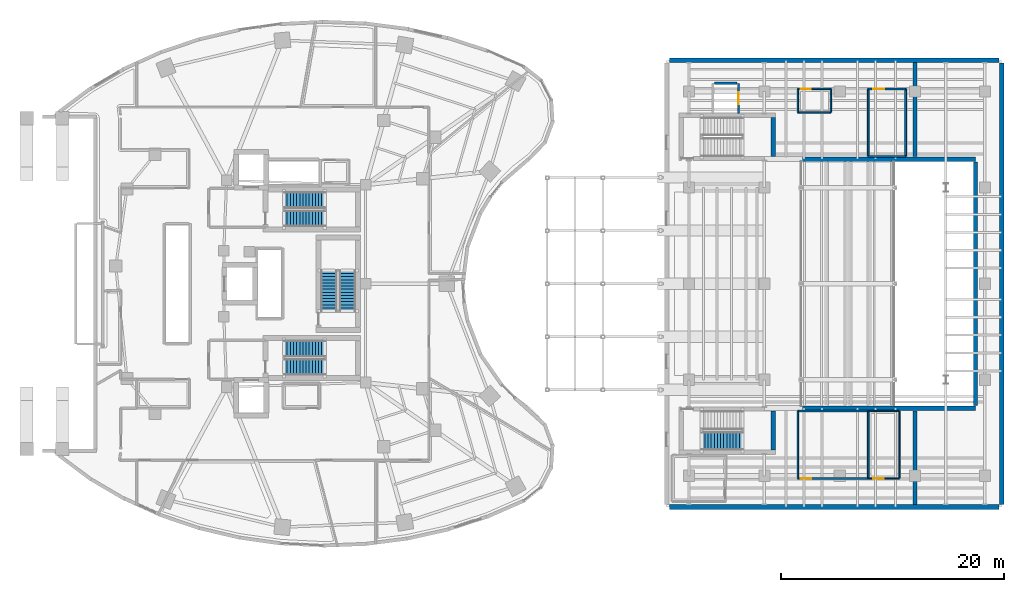
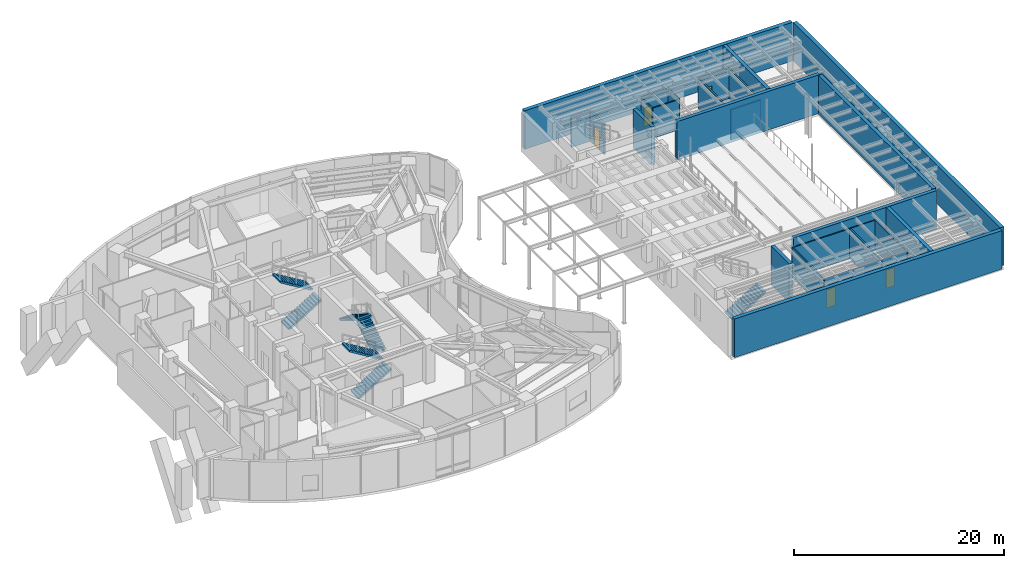
# One storey, part 19 of 24: 27 walls, 7 stair flights, 5 doors, 5 openings, 4 elements without a shape of their own.
"""IFC4 building model written with IfcOpenShell, lengths in metres."""

from ifc_helpers import new_model, si_unit, direction, frame, frame_2d, origin, place, context, subcontext, project, spatial, polyline, rectangle, outline, extrude, material, layer, layer_set, type_object, element, fill, aggregate, save


model = new_model("IFC4")

# Units and contexts
model_context = context("Model", 3, precision=1e-05, world=origin(), true_north=direction((0.0, 1.0)))
body_context = subcontext(model_context, "Body", "Model", "MODEL_VIEW")
ifc_project = project(units=[si_unit("LENGTHUNIT", "METRE"), si_unit("AREAUNIT", "SQUARE_METRE"), si_unit("VOLUMEUNIT", "CUBIC_METRE"), si_unit("PLANEANGLEUNIT", "RADIAN"), si_unit("MASSUNIT", "GRAM", prefix="KILO")], contexts=[model_context])

# Site, building, storey
site_placement = place(None, origin())
site = spatial("IfcSite", under=ifc_project, at=site_placement, CompositionType="ELEMENT")
building_placement = place(site_placement, origin())
building = spatial("IfcBuilding", under=site, at=building_placement, Name="Korentha Bioscience Tower", CompositionType="ELEMENT")
storey_placement = place(building_placement, frame((0.0, 0.0, 5.39990234375)))
storey = spatial("IfcBuildingStorey", under=building, at=storey_placement, Name="L01", CompositionType="ELEMENT", Elevation=5.39990234375)

# Wall, opening, door
ifc_material_1 = material(Name="Double-Stud Acoustic Gypsum", Category="gypsum")
ifc_layer_1 = layer(ifc_material_1, 0.14990234375, Name="Double-Stud Acoustic Gypsum")
ifc_layer_set_1 = layer_set([ifc_layer_1], Name="Double-Stud Acoustic Gypsum (IW-L150)")
wall_type_1 = type_object("IfcWallType", Name="Acoustic Laboratory Partition Wall 150", PredefinedType="PARTITIONING", material=ifc_layer_set_1)
wall_1_placement = place(storey_placement, frame((82.550048828125, 9.56005859375, 0.0), z_axis=(0.0, 0.0, 1.0), x_axis=(-1.0, 0.0, 0.0)))
wall_1 = element("IfcWall", 1, at=wall_1_placement, inside=storey, type_object=wall_type_1, Name="L01 L01 Soloists' Dressing Suite Entrance Wall", PredefinedType="PARTITIONING", context=body_context, shape_type="SweptSolid", body=[
    extrude(rectangle(XDim=6.300048828125, YDim=0.14990234375, at=frame_2d((3.14990234375, 0.0))), origin(), (0.0, 0.0, 1.0), 3.510009765625),
])
opening_1_placement = place(wall_1_placement, frame((5.110107421875, 0.0, 0.0)))
opening_1 = element("IfcOpeningElement", 2, at=opening_1_placement, cuts=wall_1, Name="Opening ID-10L", PredefinedType="OPENING", context=body_context, shape_type="SweptSolid", body=[
    extrude(rectangle(XDim=0.949951171875, YDim=2.14990234375, at=frame_2d((0.47509765625, 1.074951171875))), frame((0.0, 0.08984375, 0.0), z_axis=(0.0, -1.0, 0.0), x_axis=(1.0, 0.0, 0.0)), (0.0, 0.0, 1.0), 0.1796875),
])
ifc_material_2 = material(Name="Phenolic Laminate Timber Core", Category="wood")
door_type_1 = type_object("IfcDoorType", Name="Laboratory Single Leaf Door 950x2150 Left", OperationType="SINGLE_SWING_LEFT", PredefinedType="DOOR", material=ifc_material_2)
door_1_placement = place(opening_1_placement, origin())
door_1 = element("IfcDoor", 3, at=door_1_placement, inside=storey, type_object=door_type_1, Name="L01 L01 Soloists' Dressing Suite Door", OperationType="SINGLE_SWING_LEFT", OverallHeight=2.14990234375, OverallWidth=0.949951171875, PredefinedType="DOOR", context=body_context, shape_type="SweptSolid", body=[
    extrude(rectangle(XDim=0.949951171875, YDim=2.14990234375, at=frame_2d((0.47509765625, 1.074951171875))), frame((0.0, 0.02490234375, 0.0), z_axis=(0.0, -1.0, 0.0), x_axis=(1.0, 0.0, 0.0)), (0.0, 0.0, 1.0), 0.050048828125),
])
fill(opening_1, door_1)

# Walls
for number, where, z_axis, x_axis, name in (
    (4, (82.550048828125, 15.60009765625, 0.0), (0.0, 0.0, 1.0), (0.0, -1.0, 0.0), "L01 Interior Partition 067"),
    (5, (76.25, 9.56005859375, 0.0), (0.0, 0.0, 1.0), (0.0, 1.0, 0.0), "L01 Interior Partition 068"),
):
    element("IfcWall", number, at=place(storey_placement, frame(where, z_axis=z_axis, x_axis=x_axis)), inside=storey, type_object=wall_type_1, Name=name, PredefinedType="PARTITIONING", context=body_context, shape_type="SweptSolid", body=[
        extrude(rectangle(XDim=6.0400390625, YDim=0.14990234375, at=frame_2d((3.02001953125, 0.0))), origin(), (0.0, 0.0, 1.0), 3.510009765625),
    ])
wall_2_placement = place(storey_placement, frame((76.25, 15.60009765625, 0.0), z_axis=(0.0, 0.0, 1.0), x_axis=(1.0, 0.0, 0.0)))
element("IfcWall", 6, at=wall_2_placement, inside=storey, type_object=wall_type_1, Name="L01 Interior Partition 069", PredefinedType="PARTITIONING", context=body_context, shape_type="SweptSolid", body=[
    extrude(rectangle(XDim=6.300048828125, YDim=0.14990234375, at=frame_2d((3.14990234375, 0.0))), origin(), (0.0, 0.0, 1.0), 3.510009765625),
])

# Wall, opening, door
ifc_material_3 = material(Name="Fire-Rated Framed Glass", Category="glass")
ifc_layer_2 = layer(ifc_material_3, 0.110107421875, Name="Fire-Rated Framed Glass")
ifc_layer_set_2 = layer_set([ifc_layer_2], Name="Fire-Rated Framed Glass (IW-G110)")
wall_type_2 = type_object("IfcWallType", Name="Demountable Glazed Office Partition 110", PredefinedType="MOVABLE", material=ifc_layer_set_2)
wall_3_placement = place(storey_placement, frame((85.35009765625, 9.56005859375, 0.0), z_axis=(0.0, 0.0, 1.0), x_axis=(-1.0, 0.0, 0.0)))
wall_3 = element("IfcWall", 7, at=wall_3_placement, inside=storey, type_object=wall_type_2, Name="L01 L01 Ensemble Rehearsal Studio Entrance Wall", PredefinedType="MOVABLE", context=body_context, shape_type="SweptSolid", body=[
    extrude(rectangle(XDim=2.7900390625, YDim=0.110107421875, at=frame_2d((1.39501953125, 0.0))), origin(), (0.0, 0.0, 1.0), 3.510009765625),
])
opening_2_placement = place(wall_3_placement, frame((1.39501953125, 0.0, 0.0)))
opening_2 = element("IfcOpeningElement", 8, at=opening_2_placement, cuts=wall_3, Name="Opening ID-10R", PredefinedType="OPENING", context=body_context, shape_type="SweptSolid", body=[
    extrude(rectangle(XDim=0.949951171875, YDim=2.14990234375, at=frame_2d((0.47509765625, 1.074951171875))), frame((0.0, 0.06982421875, 0.0), z_axis=(0.0, -1.0, 0.0), x_axis=(1.0, 0.0, 0.0)), (0.0, 0.0, 1.0), 0.139892578125),
])
door_type_2 = type_object("IfcDoorType", Name="Laboratory Single Leaf Door 950x2150 Right", OperationType="SINGLE_SWING_RIGHT", PredefinedType="DOOR", material=ifc_material_2)
door_2_placement = place(opening_2_placement, origin())
door_2 = element("IfcDoor", 9, at=door_2_placement, inside=storey, type_object=door_type_2, Name="L01 L01 Ensemble Rehearsal Studio Door", OperationType="SINGLE_SWING_RIGHT", OverallHeight=2.14990234375, OverallWidth=0.949951171875, PredefinedType="DOOR", context=body_context, shape_type="SweptSolid", body=[
    extrude(rectangle(XDim=0.949951171875, YDim=2.14990234375, at=frame_2d((0.47509765625, 1.074951171875))), frame((0.0, 0.02490234375, 0.0), z_axis=(0.0, -1.0, 0.0), x_axis=(1.0, 0.0, 0.0)), (0.0, 0.0, 1.0), 0.050048828125),
])
fill(opening_2, door_2)

# Walls
wall_4_placement = place(storey_placement, frame((85.35009765625, 15.60009765625, 0.0), z_axis=(0.0, 0.0, 1.0), x_axis=(0.0, -1.0, 0.0)))
element("IfcWall", 10, at=wall_4_placement, inside=storey, type_object=wall_type_2, Name="L01 Interior Partition 070", PredefinedType="MOVABLE", context=body_context, shape_type="SweptSolid", body=[
    extrude(rectangle(XDim=6.0400390625, YDim=0.110107421875, at=frame_2d((3.02001953125, 0.0))), origin(), (0.0, 0.0, 1.0), 3.510009765625),
])
wall_5_placement = place(storey_placement, frame((82.56005859375, 15.60009765625, 0.0), z_axis=(0.0, 0.0, 1.0), x_axis=(1.0, 0.0, 0.0)))
element("IfcWall", 11, at=wall_5_placement, inside=storey, type_object=wall_type_2, Name="L01 Interior Partition 071", PredefinedType="MOVABLE", context=body_context, shape_type="SweptSolid", body=[
    extrude(rectangle(XDim=2.7900390625, YDim=0.110107421875, at=frame_2d((1.39501953125, 0.0))), origin(), (0.0, 0.0, 1.0), 3.510009765625),
])

# Wall, opening, door
ifc_material_4 = material(Name="Gypsum-Clad Steel Stud", Category="steel")
ifc_layer_3 = layer(ifc_material_4, 0.159912109375, Name="Gypsum-Clad Steel Stud")
ifc_layer_set_3 = layer_set([ifc_layer_3], Name="Gypsum-Clad Steel Stud (IW-C160)")
wall_type_3 = type_object("IfcWallType", Name="Fire-Rated Corridor Partition Wall 160", PredefinedType="PARTITIONING", material=ifc_layer_set_3)
wall_6_placement = place(storey_placement, frame((82.550048828125, 44.43994140625, 0.0), z_axis=(0.0, 0.0, 1.0), x_axis=(1.0, 0.0, 0.0)))
wall_6 = element("IfcWall", 12, at=wall_6_placement, inside=storey, type_object=wall_type_3, Name="L01 L01 Stage Lighting Dimmer Store Entrance Wall", PredefinedType="PARTITIONING", context=body_context, shape_type="SweptSolid", body=[
    extrude(rectangle(XDim=3.349853515625, YDim=0.159912109375, at=frame_2d((1.6748046875, 0.0))), origin(), (0.0, 0.0, 1.0), 3.510009765625),
])
opening_3_placement = place(wall_6_placement, frame((0.465087890625, 0.0, 0.0)))
opening_3 = element("IfcOpeningElement", 13, at=opening_3_placement, cuts=wall_6, Name="Opening ID-10L", PredefinedType="OPENING", context=body_context, shape_type="SweptSolid", body=[
    extrude(rectangle(XDim=0.949951171875, YDim=2.14990234375, at=frame_2d((0.47509765625, 1.074951171875))), frame((0.0, 0.0947265625, 0.0), z_axis=(0.0, -1.0, 0.0), x_axis=(1.0, 0.0, 0.0)), (0.0, 0.0, 1.0), 0.189697265625),
])
door_3_placement = place(opening_3_placement, origin())
door_3 = element("IfcDoor", 14, at=door_3_placement, inside=storey, type_object=door_type_1, Name="L01 L01 Stage Lighting Dimmer Store Door", OperationType="SINGLE_SWING_LEFT", OverallHeight=2.14990234375, OverallWidth=0.949951171875, PredefinedType="DOOR", context=body_context, shape_type="SweptSolid", body=[
    extrude(rectangle(XDim=0.949951171875, YDim=2.14990234375, at=frame_2d((0.47509765625, 1.074951171875))), frame((0.0, 0.02490234375, 0.0), z_axis=(0.0, -1.0, 0.0), x_axis=(1.0, 0.0, 0.0)), (0.0, 0.0, 1.0), 0.050048828125),
])
fill(opening_3, door_3)

# Walls
wall_7_placement = place(storey_placement, frame((85.89990234375, 38.39990234375, 0.0), z_axis=(0.0, 0.0, 1.0), x_axis=(-1.0, 0.0, 0.0)))
element("IfcWall", 15, at=wall_7_placement, inside=storey, type_object=wall_type_3, Name="L01 Interior Partition 072", PredefinedType="PARTITIONING", context=body_context, shape_type="SweptSolid", body=[
    extrude(rectangle(XDim=3.349853515625, YDim=0.159912109375, at=frame_2d((1.6748046875, 0.0))), origin(), (0.0, 0.0, 1.0), 3.510009765625),
])
for number, where, z_axis, x_axis, name in (
    (16, (82.550048828125, 38.39990234375, 0.0), (0.0, 0.0, 1.0), (0.0, 1.0, 0.0), "L01 Interior Partition 073"),
    (17, (85.89990234375, 44.43994140625, 0.0), (0.0, 0.0, 1.0), (0.0, -1.0, 0.0), "L01 Interior Partition 074"),
):
    element("IfcWall", number, at=place(storey_placement, frame(where, z_axis=z_axis, x_axis=x_axis)), inside=storey, type_object=wall_type_3, Name=name, PredefinedType="PARTITIONING", context=body_context, shape_type="SweptSolid", body=[
        extrude(rectangle(XDim=6.0400390625, YDim=0.159912109375, at=frame_2d((3.02001953125, 0.0))), origin(), (0.0, 0.0, 1.0), 3.510009765625),
    ])

# Wall, opening, door
ifc_material_5 = material(Name="Autoclaved Aerated Concrete Block C25", Category="concrete")
ifc_layer_4 = layer(ifc_material_5, 0.199951171875, Name="Autoclaved Aerated Concrete Block C25")
ifc_layer_set_4 = layer_set([ifc_layer_4], Name="Autoclaved Aerated Concrete Block C25 (IW-S200)")
wall_type_4 = type_object("IfcWallType", Name="Lift and Riser Shaft Enclosure Wall 200", PredefinedType="PARTITIONING", material=ifc_layer_set_4)
wall_8_placement = place(storey_placement, frame((70.93994140625, 42.260009765625, 0.0), z_axis=(0.0, 0.0, 1.0), x_axis=(0.0, 1.0, 0.0)))
wall_8 = element("IfcWall", 18, at=wall_8_placement, inside=storey, type_object=wall_type_4, Name="L01 Lift Bank LT1 Shaft Wall +X", PredefinedType="PARTITIONING", context=body_context, shape_type="SweptSolid", body=[
    extrude(rectangle(XDim=2.679931640625, YDim=0.199951171875, at=frame_2d((1.33984375, 0.0))), origin(), (0.0, 0.0, 1.0), 3.510009765625),
])
opening_4_placement = place(wall_8_placement, frame((0.7900390625, 0.0, 0.0)))
opening_4 = element("IfcOpeningElement", 19, at=opening_4_placement, cuts=wall_8, Name="Opening LD-11", PredefinedType="OPENING", context=body_context, shape_type="SweptSolid", body=[
    extrude(rectangle(XDim=1.10009765625, YDim=2.199951171875, at=frame_2d((0.550048828125, 1.10009765625))), frame((0.0, 0.11474609375, 0.0), z_axis=(0.0, -1.0, 0.0), x_axis=(1.0, 0.0, 0.0)), (0.0, 0.0, 1.0), 0.229736328125),
])
ifc_material_6 = material(Name="Brushed Stainless Steel 304", Category="steel")
door_type_3 = type_object("IfcDoorType", Name="Passenger Lift Sliding Landing Door 1100x2200", OperationType="DOUBLE_DOOR_SLIDING", PredefinedType="DOOR", material=ifc_material_6)
door_4_placement = place(opening_4_placement, origin())
door_4 = element("IfcDoor", 20, at=door_4_placement, inside=storey, type_object=door_type_3, Name="L01 LT-1 Sliding Lift Landing Door", OperationType="DOUBLE_DOOR_SLIDING", OverallHeight=2.199951171875, OverallWidth=1.10009765625, PredefinedType="DOOR", context=body_context, shape_type="SweptSolid", body=[
    extrude(rectangle(XDim=1.10009765625, YDim=2.199951171875, at=frame_2d((0.550048828125, 1.10009765625))), frame((0.0, 0.02490234375, 0.0), z_axis=(0.0, -1.0, 0.0), x_axis=(1.0, 0.0, 0.0)), (0.0, 0.0, 1.0), 0.050048828125),
])
fill(opening_4, door_4)

# Walls
wall_9_placement = place(storey_placement, frame((68.780029296875, 44.93994140625, 0.0), z_axis=(0.0, 0.0, 1.0), x_axis=(1.0, 0.0, 0.0)))
element("IfcWall", 21, at=wall_9_placement, inside=storey, type_object=wall_type_4, Name="L01 Lift Bank LT1 Shaft Wall +Y", PredefinedType="PARTITIONING", context=body_context, shape_type="SweptSolid", body=[
    extrude(rectangle(XDim=2.0400390625, YDim=0.199951171875, at=frame_2d((1.02001953125, 0.0))), origin(), (0.0, 0.0, 1.0), 3.510009765625),
])
ifc_material_7 = material(Name="Concrete C50", Category="concrete")
ifc_layer_5 = layer(ifc_material_7, 0.419921875, Name="Concrete C50")
ifc_layer_set_5 = layer_set([ifc_layer_5], Name="Concrete C50 (TW-E420)")
wall_type_5 = type_object("IfcWallType", Name="Theatre Acoustic Shear Wall 420", PredefinedType="SHEAR", material=ifc_layer_set_5)
wall_10_placement = place(storey_placement, frame((64.75, 47.0, 0.0), z_axis=(0.0, 0.0, 1.0), x_axis=(1.0, 0.0, 0.0)))
element("IfcWall", 22, at=wall_10_placement, inside=storey, type_object=wall_type_5, Name="L01 Theatre Acoustic Shear Wall N", PredefinedType="SHEAR", context=body_context, shape_type="SweptSolid", body=[
    extrude(rectangle(XDim=29.5, YDim=0.419921875, at=frame_2d((14.75, 0.0))), origin(), (0.0, 0.0, 1.0), 4.5),
])
wall_11_placement = place(storey_placement, frame((94.5, 46.75, 0.0), z_axis=(0.0, 0.0, 1.0), x_axis=(0.0, -1.0, 0.0)))
element("IfcWall", 23, at=wall_11_placement, inside=storey, type_object=wall_type_5, Name="L01 Theatre Acoustic Shear Wall E", PredefinedType="SHEAR", context=body_context, shape_type="SweptSolid", body=[
    extrude(rectangle(XDim=39.5, YDim=0.419921875, at=frame_2d((19.75, 0.0))), origin(), (0.0, 0.0, 1.0), 4.5),
])
wall_12_placement = place(storey_placement, frame((94.25, 7.0, 0.0), z_axis=(0.0, 0.0, 1.0), x_axis=(-1.0, 0.0, 0.0)))
element("IfcWall", 24, at=wall_12_placement, inside=storey, type_object=wall_type_5, Name="L01 Theatre Acoustic Shear Wall S", PredefinedType="SHEAR", context=body_context, shape_type="SweptSolid", body=[
    extrude(rectangle(XDim=29.5, YDim=0.419921875, at=frame_2d((14.75, 0.0))), origin(), (0.0, 0.0, 1.0), 4.5),
])
ifc_layer_6 = layer(ifc_material_7, 0.3798828125, Name="Concrete C50")
ifc_layer_set_6 = layer_set([ifc_layer_6], Name="Concrete C50 (TW-I380)")
wall_type_6 = type_object("IfcWallType", Name="Theatre Proscenium Shear Wall 380", PredefinedType="SHEAR", material=ifc_layer_set_6)
for number, where, z_axis, x_axis, name in (
    (25, (86.75, 38.3798828125, 0.0), (0.0, 0.0, 1.0), (0.0, 1.0, 0.0), "L01 Theatre Shear Wall PROSC-N"),
    (26, (86.75, 7.2099609375, 0.0), (0.0, 0.0, 1.0), (0.0, 1.0, 0.0), "L01 Theatre Shear Wall PROSC-S"),
):
    element("IfcWall", number, at=place(storey_placement, frame(where, z_axis=z_axis, x_axis=x_axis)), inside=storey, type_object=wall_type_6, Name=name, PredefinedType="SHEAR", context=body_context, shape_type="SweptSolid", body=[
        extrude(rectangle(XDim=8.41015625, YDim=0.3798828125, at=frame_2d((4.205078125, 0.0))), origin(), (0.0, 0.0, 1.0), 4.5),
    ])
for number, where, z_axis, x_axis, name in (
    (27, (76.39990234375, 15.85009765625, 0.0), (0.0, 0.0, 1.0), (1.0, 0.0, 0.0), "L01 Theatre Shear Wall ACSH-S1"),
    (28, (76.39990234375, 38.14990234375, 0.0), (0.0, 0.0, 1.0), (1.0, 0.0, 0.0), "L01 Theatre Shear Wall ACSH-N1"),
):
    element("IfcWall", number, at=place(storey_placement, frame(where, z_axis=z_axis, x_axis=x_axis)), inside=storey, type_object=wall_type_6, Name=name, PredefinedType="SHEAR", context=body_context, shape_type="SweptSolid", body=[
        extrude(rectangle(XDim=15.75, YDim=0.3798828125, at=frame_2d((7.875, 0.0))), origin(), (0.0, 0.0, 1.0), 4.5),
    ])
wall_13_placement = place(storey_placement, frame((92.14990234375, 16.080078125, 0.0), z_axis=(0.0, 0.0, 1.0), x_axis=(0.0, 1.0, 0.0)))
element("IfcWall", 29, at=wall_13_placement, inside=storey, type_object=wall_type_6, Name="L01 Theatre Shear Wall FLY-E", PredefinedType="SHEAR", context=body_context, shape_type="SweptSolid", body=[
    extrude(rectangle(XDim=21.83984375, YDim=0.3798828125, at=frame_2d((10.919921875, 0.0))), origin(), (0.0, 0.0, 1.0), 4.5),
])
for number, where, z_axis, x_axis, name in (
    (30, (74.0400390625, 12.110107421875, 0.0), (0.0, 0.0, 1.0), (0.0, 1.0, 0.0), "L01 Theatre Shear Wall STT1-E"),
    (31, (74.0400390625, 38.409912109375, 0.0), (0.0, 0.0, 1.0), (0.0, 1.0, 0.0), "L01 Theatre Shear Wall STT2-E"),
):
    element("IfcWall", number, at=place(storey_placement, frame(where, z_axis=z_axis, x_axis=x_axis)), inside=storey, type_object=wall_type_6, Name=name, PredefinedType="SHEAR", context=body_context, shape_type="SweptSolid", body=[
        extrude(rectangle(XDim=3.47998046875, YDim=0.3798828125, at=frame_2d((1.739990234375, 0.0))), origin(), (0.0, 0.0, 1.0), 4.5),
    ])

# Wall, opening, door
ifc_material_8 = material(Name="Cement-Board Steel Stud", Category="steel")
ifc_layer_7 = layer(ifc_material_8, 0.1298828125, Name="Cement-Board Steel Stud")
ifc_layer_set_7 = layer_set([ifc_layer_7], Name="Cement-Board Steel Stud (IW-W130)")
wall_type_7 = type_object("IfcWallType", Name="Wet-Area Moisture-Resistant Partition 130", PredefinedType="PARTITIONING", material=ifc_layer_set_7)
wall_14_placement = place(storey_placement, frame((76.25, 44.43994140625, 0.0), z_axis=(0.0, 0.0, 1.0), x_axis=(1.0, 0.0, 0.0)))
wall_14 = element("IfcWall", 32, at=wall_14_placement, inside=storey, type_object=wall_type_7, Name="L01 L01 Theatre Accessible WC Entrance Wall", PredefinedType="PARTITIONING", context=body_context, shape_type="SweptSolid", body=[
    extrude(rectangle(XDim=2.949951171875, YDim=0.1298828125, at=frame_2d((1.47509765625, 0.0))), origin(), (0.0, 0.0, 1.0), 3.510009765625),
])
opening_5_placement = place(wall_14_placement, frame((0.239990234375, 0.0, 0.0)))
opening_5 = element("IfcOpeningElement", 33, at=opening_5_placement, cuts=wall_14, Name="Opening ID-09R", PredefinedType="OPENING", context=body_context, shape_type="SweptSolid", body=[
    extrude(rectangle(XDim=0.89990234375, YDim=2.14990234375, at=frame_2d((0.449951171875, 1.074951171875))), frame((0.0, 0.079833984375, 0.0), z_axis=(0.0, -1.0, 0.0), x_axis=(1.0, 0.0, 0.0)), (0.0, 0.0, 1.0), 0.15966796875),
])
ifc_material_9 = material(Name="Moisture-Resistant HPL Leaf", Category="wood")
door_type_4 = type_object("IfcDoorType", Name="Restroom & Accessible WC Door 900x2150 Right", OperationType="SINGLE_SWING_RIGHT", PredefinedType="DOOR", material=ifc_material_9)
door_5_placement = place(opening_5_placement, origin())
door_5 = element("IfcDoor", 34, at=door_5_placement, inside=storey, type_object=door_type_4, Name="L01 L01 Theatre Accessible WC Door", OperationType="SINGLE_SWING_RIGHT", OverallHeight=2.14990234375, OverallWidth=0.89990234375, PredefinedType="DOOR", context=body_context, shape_type="SweptSolid", body=[
    extrude(rectangle(XDim=0.89990234375, YDim=2.14990234375, at=frame_2d((0.449951171875, 1.074951171875))), frame((0.0, 0.02490234375, 0.0), z_axis=(0.0, -1.0, 0.0), x_axis=(1.0, 0.0, 0.0)), (0.0, 0.0, 1.0), 0.050048828125),
])
fill(opening_5, door_5)

# Walls
wall_15_placement = place(storey_placement, frame((79.199951171875, 42.35009765625, 0.0), z_axis=(0.0, 0.0, 1.0), x_axis=(-1.0, 0.0, 0.0)))
element("IfcWall", 35, at=wall_15_placement, inside=storey, type_object=wall_type_7, Name="L01 Interior Partition 064", PredefinedType="PARTITIONING", context=body_context, shape_type="SweptSolid", body=[
    extrude(rectangle(XDim=2.949951171875, YDim=0.1298828125, at=frame_2d((1.47509765625, 0.0))), origin(), (0.0, 0.0, 1.0), 3.510009765625),
])
for number, where, z_axis, x_axis, name in (
    (36, (76.25, 42.35009765625, 0.0), (0.0, 0.0, 1.0), (0.0, 1.0, 0.0), "L01 Interior Partition 065"),
    (37, (79.199951171875, 44.43994140625, 0.0), (0.0, 0.0, 1.0), (0.0, -1.0, 0.0), "L01 Interior Partition 066"),
):
    element("IfcWall", number, at=place(storey_placement, frame(where, z_axis=z_axis, x_axis=x_axis)), inside=storey, type_object=wall_type_7, Name=name, PredefinedType="PARTITIONING", context=body_context, shape_type="SweptSolid", body=[
        extrude(rectangle(XDim=2.08984375, YDim=0.1298828125, at=frame_2d((1.044921875, 0.0))), origin(), (0.0, 0.0, 1.0), 3.510009765625),
    ])

# Stair, stair flights
ifc_material_10 = material(Name="Precast Concrete C50", Category="concrete")
stair_type_1 = type_object("IfcStairType", Name="Core Exit Dog-Leg Stair 1450", PredefinedType="HALF_TURN_STAIR", material=ifc_material_10)
stair_1_placement = place(storey_placement, origin())
stair_1 = element("IfcStair", 38, at=stair_1_placement, inside=storey, type_object=stair_type_1, Name="L01 Tower North Pressurized Exit Stair ST-1", PredefinedType="HALF_TURN_STAIR")
stair_flight_type_1 = type_object("IfcStairFlightType", Name="Core Exit Dog-Leg Stair 1450 Flight", PredefinedType="STRAIGHT", material=ifc_material_10)
stair_flight_1_placement = place(storey_placement, frame((30.25, 32.824951171875, 0.0), z_axis=(0.0, 0.0, 1.0), x_axis=(1.0, 0.0, 0.0)))
stair_flight_1 = element("IfcStairFlight", 39, at=stair_flight_1_placement, type_object=stair_flight_type_1, Name="ST-1 flight 1", NumberOfRisers=14, NumberOfTreads=13, PredefinedType="STRAIGHT", RiserHeight=0.171428571, TreadLength=0.28, context=body_context, shape_type="SweptSolid", body=[
    extrude(outline(polyline([(0.0, 0.0), (0.0, 0.17138671875), (0.280029296875, 0.17138671875), (0.280029296875, 0.3427734375), (0.56005859375, 0.3427734375), (0.56005859375, 0.514404296875), (0.840087890625, 0.514404296875), (0.840087890625, 0.685791015625), (1.1201171875, 0.685791015625), (1.1201171875, 0.857177734375), (1.39990234375, 0.857177734375), (1.39990234375, 1.028564453125), (1.679931640625, 1.028564453125), (1.679931640625, 1.199951171875), (1.9599609375, 1.199951171875), (1.9599609375, 1.371337890625), (2.239990234375, 1.371337890625), (2.239990234375, 1.54296875), (2.52001953125, 1.54296875), (2.52001953125, 1.71435546875), (2.800048828125, 1.71435546875), (2.800048828125, 1.8857421875), (3.080078125, 1.8857421875), (3.080078125, 2.05712890625), (3.360107421875, 2.05712890625), (3.360107421875, 2.228515625), (3.639892578125, 2.228515625), (3.639892578125, 2.39990234375), (3.639892578125, 2.041015625), (0.30615234375, 0.0), (0.0, 0.0)])), frame((0.0, 0.72509765625, 0.0), z_axis=(0.0, -1.0, 0.0), x_axis=(1.0, 0.0, 0.0)), (0.0, 0.0, 1.0), 1.449951171875),
])
stair_flight_2_placement = place(storey_placement, frame((33.889892578125, 34.47509765625, 2.400146484375), z_axis=(0.0, 0.0, 1.0), x_axis=(-1.0, 0.0, 0.0)))
stair_flight_2 = element("IfcStairFlight", 40, at=stair_flight_2_placement, type_object=stair_flight_type_1, Name="ST-1 flight 2", NumberOfRisers=14, NumberOfTreads=13, PredefinedType="STRAIGHT", RiserHeight=0.171428571, TreadLength=0.28, context=body_context, shape_type="SweptSolid", body=[
    extrude(outline(polyline([(0.0, 0.0), (0.0, 0.17138671875), (0.280029296875, 0.17138671875), (0.280029296875, 0.3427734375), (0.56005859375, 0.3427734375), (0.56005859375, 0.514404296875), (0.840087890625, 0.514404296875), (0.840087890625, 0.685791015625), (1.1201171875, 0.685791015625), (1.1201171875, 0.857177734375), (1.39990234375, 0.857177734375), (1.39990234375, 1.028564453125), (1.679931640625, 1.028564453125), (1.679931640625, 1.199951171875), (1.9599609375, 1.199951171875), (1.9599609375, 1.371337890625), (2.239990234375, 1.371337890625), (2.239990234375, 1.54296875), (2.52001953125, 1.54296875), (2.52001953125, 1.71435546875), (2.800048828125, 1.71435546875), (2.800048828125, 1.8857421875), (3.080078125, 1.8857421875), (3.080078125, 2.05712890625), (3.360107421875, 2.05712890625), (3.360107421875, 2.228515625), (3.639892578125, 2.228515625), (3.639892578125, 2.39990234375), (3.639892578125, 2.041015625), (0.30615234375, 0.0), (0.0, 0.0)])), frame((0.0, 0.72509765625, 0.0), z_axis=(0.0, -1.0, 0.0), x_axis=(1.0, 0.0, 0.0)), (0.0, 0.0, 1.0), 1.449951171875),
])
aggregate(stair_1, [stair_flight_1, stair_flight_2])

stair_2_placement = place(storey_placement, origin())
stair_2 = element("IfcStair", 41, at=stair_2_placement, inside=storey, type_object=stair_type_1, Name="L01 Tower South Pressurized Exit Stair ST-2", PredefinedType="HALF_TURN_STAIR")
stair_flight_3_placement = place(storey_placement, frame((30.25, 19.52490234375, 0.0), z_axis=(0.0, 0.0, 1.0), x_axis=(1.0, 0.0, 0.0)))
stair_flight_3 = element("IfcStairFlight", 42, at=stair_flight_3_placement, type_object=stair_flight_type_1, Name="ST-2 flight 1", NumberOfRisers=14, NumberOfTreads=13, PredefinedType="STRAIGHT", RiserHeight=0.171428571, TreadLength=0.28, context=body_context, shape_type="SweptSolid", body=[
    extrude(outline(polyline([(0.0, 0.0), (0.0, 0.17138671875), (0.280029296875, 0.17138671875), (0.280029296875, 0.3427734375), (0.56005859375, 0.3427734375), (0.56005859375, 0.514404296875), (0.840087890625, 0.514404296875), (0.840087890625, 0.685791015625), (1.1201171875, 0.685791015625), (1.1201171875, 0.857177734375), (1.39990234375, 0.857177734375), (1.39990234375, 1.028564453125), (1.679931640625, 1.028564453125), (1.679931640625, 1.199951171875), (1.9599609375, 1.199951171875), (1.9599609375, 1.371337890625), (2.239990234375, 1.371337890625), (2.239990234375, 1.54296875), (2.52001953125, 1.54296875), (2.52001953125, 1.71435546875), (2.800048828125, 1.71435546875), (2.800048828125, 1.8857421875), (3.080078125, 1.8857421875), (3.080078125, 2.05712890625), (3.360107421875, 2.05712890625), (3.360107421875, 2.228515625), (3.639892578125, 2.228515625), (3.639892578125, 2.39990234375), (3.639892578125, 2.041015625), (0.30615234375, 0.0), (0.0, 0.0)])), frame((0.0, 0.72509765625, 0.0), z_axis=(0.0, -1.0, 0.0), x_axis=(1.0, 0.0, 0.0)), (0.0, 0.0, 1.0), 1.449951171875),
])
stair_flight_4_placement = place(storey_placement, frame((33.889892578125, 21.175048828125, 2.400146484375), z_axis=(0.0, 0.0, 1.0), x_axis=(-1.0, 0.0, 0.0)))
stair_flight_4 = element("IfcStairFlight", 43, at=stair_flight_4_placement, type_object=stair_flight_type_1, Name="ST-2 flight 2", NumberOfRisers=14, NumberOfTreads=13, PredefinedType="STRAIGHT", RiserHeight=0.171428571, TreadLength=0.28, context=body_context, shape_type="SweptSolid", body=[
    extrude(outline(polyline([(0.0, 0.0), (0.0, 0.17138671875), (0.280029296875, 0.17138671875), (0.280029296875, 0.3427734375), (0.56005859375, 0.3427734375), (0.56005859375, 0.514404296875), (0.840087890625, 0.514404296875), (0.840087890625, 0.685791015625), (1.1201171875, 0.685791015625), (1.1201171875, 0.857177734375), (1.39990234375, 0.857177734375), (1.39990234375, 1.028564453125), (1.679931640625, 1.028564453125), (1.679931640625, 1.199951171875), (1.9599609375, 1.199951171875), (1.9599609375, 1.371337890625), (2.239990234375, 1.371337890625), (2.239990234375, 1.54296875), (2.52001953125, 1.54296875), (2.52001953125, 1.71435546875), (2.800048828125, 1.71435546875), (2.800048828125, 1.8857421875), (3.080078125, 1.8857421875), (3.080078125, 2.05712890625), (3.360107421875, 2.05712890625), (3.360107421875, 2.228515625), (3.639892578125, 2.228515625), (3.639892578125, 2.39990234375), (3.639892578125, 2.041015625), (0.30615234375, 0.0), (0.0, 0.0)])), frame((0.0, 0.72509765625, 0.0), z_axis=(0.0, -1.0, 0.0), x_axis=(1.0, 0.0, 0.0)), (0.0, 0.0, 1.0), 1.449951171875),
])
aggregate(stair_2, [stair_flight_3, stair_flight_4])

stair_3_placement = place(storey_placement, origin())
stair_3 = element("IfcStair", 44, at=stair_3_placement, inside=storey, type_object=stair_type_1, Name="L01 Tower Central Pressurized Exit Stair ST-3", PredefinedType="HALF_TURN_STAIR")
stair_flight_5_placement = place(storey_placement, frame((35.925048828125, 24.550048828125, 0.0), z_axis=(0.0, 0.0, 1.0), x_axis=(0.0, 1.0, 0.0)))
stair_flight_5 = element("IfcStairFlight", 45, at=stair_flight_5_placement, type_object=stair_flight_type_1, Name="ST-3 flight 1", NumberOfRisers=14, NumberOfTreads=13, PredefinedType="STRAIGHT", RiserHeight=0.171428571, TreadLength=0.28, context=body_context, shape_type="SweptSolid", body=[
    extrude(outline(polyline([(0.0, 0.0), (0.0, 0.17138671875), (0.280029296875, 0.17138671875), (0.280029296875, 0.3427734375), (0.56005859375, 0.3427734375), (0.56005859375, 0.514404296875), (0.840087890625, 0.514404296875), (0.840087890625, 0.685791015625), (1.1201171875, 0.685791015625), (1.1201171875, 0.857177734375), (1.39990234375, 0.857177734375), (1.39990234375, 1.028564453125), (1.679931640625, 1.028564453125), (1.679931640625, 1.199951171875), (1.9599609375, 1.199951171875), (1.9599609375, 1.371337890625), (2.239990234375, 1.371337890625), (2.239990234375, 1.54296875), (2.52001953125, 1.54296875), (2.52001953125, 1.71435546875), (2.800048828125, 1.71435546875), (2.800048828125, 1.8857421875), (3.080078125, 1.8857421875), (3.080078125, 2.05712890625), (3.360107421875, 2.05712890625), (3.360107421875, 2.228515625), (3.639892578125, 2.228515625), (3.639892578125, 2.39990234375), (3.639892578125, 2.041015625), (0.30615234375, 0.0), (0.0, 0.0)])), frame((0.0, 0.72509765625, 0.0), z_axis=(0.0, -1.0, 0.0), x_axis=(1.0, 0.0, 0.0)), (0.0, 0.0, 1.0), 1.449951171875),
])
stair_flight_6_placement = place(storey_placement, frame((34.27490234375, 28.18994140625, 2.400146484375), z_axis=(0.0, 0.0, 1.0), x_axis=(0.0, -1.0, 0.0)))
stair_flight_6 = element("IfcStairFlight", 46, at=stair_flight_6_placement, type_object=stair_flight_type_1, Name="ST-3 flight 2", NumberOfRisers=14, NumberOfTreads=13, PredefinedType="STRAIGHT", RiserHeight=0.171428571, TreadLength=0.28, context=body_context, shape_type="SweptSolid", body=[
    extrude(outline(polyline([(0.0, 0.0), (0.0, 0.17138671875), (0.280029296875, 0.17138671875), (0.280029296875, 0.3427734375), (0.56005859375, 0.3427734375), (0.56005859375, 0.514404296875), (0.840087890625, 0.514404296875), (0.840087890625, 0.685791015625), (1.1201171875, 0.685791015625), (1.1201171875, 0.857177734375), (1.39990234375, 0.857177734375), (1.39990234375, 1.028564453125), (1.679931640625, 1.028564453125), (1.679931640625, 1.199951171875), (1.9599609375, 1.199951171875), (1.9599609375, 1.371337890625), (2.239990234375, 1.371337890625), (2.239990234375, 1.54296875), (2.52001953125, 1.54296875), (2.52001953125, 1.71435546875), (2.800048828125, 1.71435546875), (2.800048828125, 1.8857421875), (3.080078125, 1.8857421875), (3.080078125, 2.05712890625), (3.360107421875, 2.05712890625), (3.360107421875, 2.228515625), (3.639892578125, 2.228515625), (3.639892578125, 2.39990234375), (3.639892578125, 2.041015625), (0.30615234375, 0.0), (0.0, 0.0)])), frame((0.0, 0.72509765625, 0.0), z_axis=(0.0, -1.0, 0.0), x_axis=(1.0, 0.0, 0.0)), (0.0, 0.0, 1.0), 1.449951171875),
])
aggregate(stair_3, [stair_flight_5, stair_flight_6])

# Stair, stair flight
stair_type_2 = type_object("IfcStairType", Name="Theatre Public Dog-Leg Stair 1650", PredefinedType="HALF_TURN_STAIR", material=ifc_material_10)
stair_4_placement = place(storey_placement, origin())
stair_4 = element("IfcStair", 47, at=stair_4_placement, inside=storey, type_object=stair_type_2, Name="L01 Civic Theatre South Exit Stair ST-T1", PredefinedType="HALF_TURN_STAIR")
stair_flight_type_2 = type_object("IfcStairFlightType", Name="Theatre Public Dog-Leg Stair 1650 Flight", PredefinedType="STRAIGHT", material=ifc_material_10)
stair_flight_7_placement = place(storey_placement, frame((67.64990234375, 12.925048828125, 0.0), z_axis=(0.0, 0.0, 1.0), x_axis=(1.0, 0.0, 0.0)))
stair_flight_7 = element("IfcStairFlight", 48, at=stair_flight_7_placement, type_object=stair_flight_type_2, Name="ST-T1 flight 1", NumberOfRisers=14, NumberOfTreads=13, PredefinedType="STRAIGHT", RiserHeight=0.171428571, TreadLength=0.28, context=body_context, shape_type="SweptSolid", body=[
    extrude(outline(polyline([(0.0, 0.0), (0.0, 0.17138671875), (0.280029296875, 0.17138671875), (0.280029296875, 0.3427734375), (0.56005859375, 0.3427734375), (0.56005859375, 0.514404296875), (0.840087890625, 0.514404296875), (0.840087890625, 0.685791015625), (1.1201171875, 0.685791015625), (1.1201171875, 0.857177734375), (1.39990234375, 0.857177734375), (1.39990234375, 1.028564453125), (1.679931640625, 1.028564453125), (1.679931640625, 1.199951171875), (1.9599609375, 1.199951171875), (1.9599609375, 1.371337890625), (2.239990234375, 1.371337890625), (2.239990234375, 1.54296875), (2.52001953125, 1.54296875), (2.52001953125, 1.71435546875), (2.800048828125, 1.71435546875), (2.800048828125, 1.8857421875), (3.080078125, 1.8857421875), (3.080078125, 2.05712890625), (3.360107421875, 2.05712890625), (3.360107421875, 2.228515625), (3.639892578125, 2.228515625), (3.639892578125, 2.39990234375), (3.639892578125, 2.041015625), (0.30615234375, 0.0), (0.0, 0.0)])), frame((0.0, 0.824951171875, 0.0), z_axis=(0.0, -1.0, 0.0), x_axis=(1.0, 0.0, 0.0)), (0.0, 0.0, 1.0), 1.64990234375),
])
aggregate(stair_4, [stair_flight_7])

save(model, "model.ifc")
